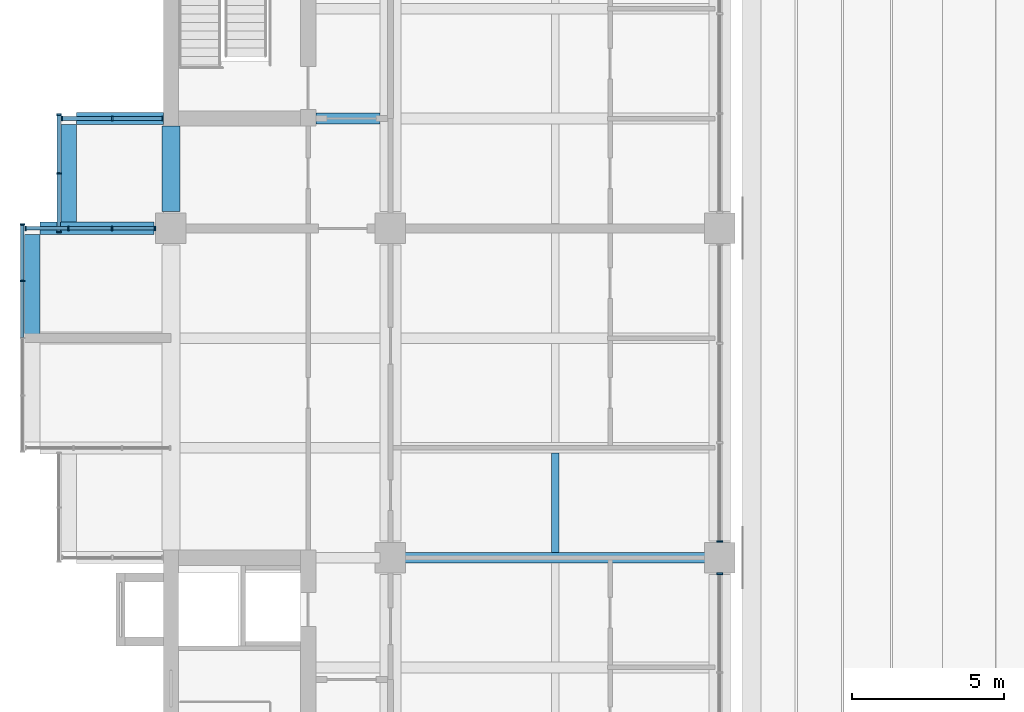
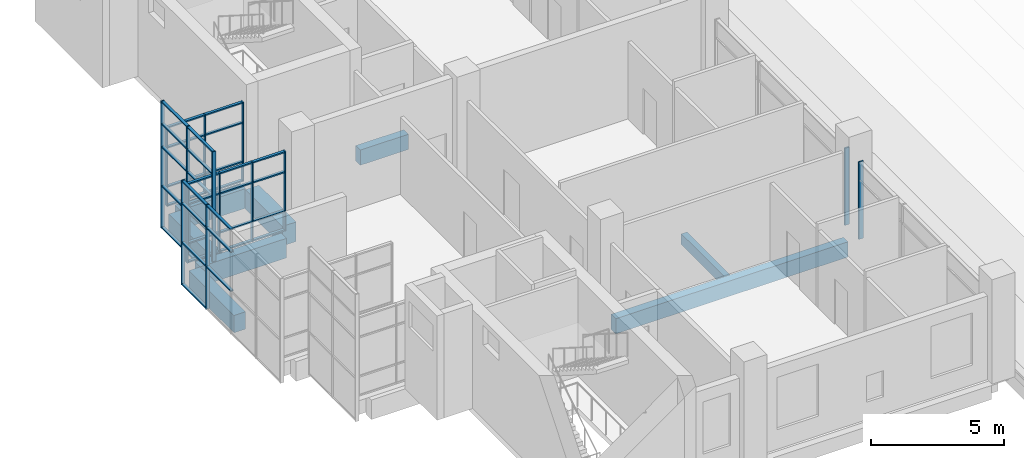
# One storey, part 4 of 45: 51 members, 8 beams, 6 elements without a shape of their own.
"""IFC4 building model written with IfcOpenShell, lengths in metres."""

from ifc_helpers import new_model, si_unit, direction, frame, origin, origin_2d, place, context, subcontext, project, spatial, rectangle, extrude, material, layer, layer_set, material_profile, profile_set, type_object, element, aggregate, save


model = new_model("IFC4")

# Units and contexts
model_context = context("Model", 3, precision=1e-05, world=origin(), true_north=direction((0.0, 1.0)))
body_context = subcontext(model_context, "Body", "Model", "MODEL_VIEW")
ifc_project = project(units=[si_unit("LENGTHUNIT", "METRE"), si_unit("AREAUNIT", "SQUARE_METRE"), si_unit("VOLUMEUNIT", "CUBIC_METRE"), si_unit("PLANEANGLEUNIT", "RADIAN"), si_unit("MASSUNIT", "GRAM", prefix="KILO")], contexts=[model_context])

# Site, building, storey
site_placement = place(None, origin())
site = spatial("IfcSite", under=ifc_project, at=site_placement, CompositionType="ELEMENT")
building_placement = place(site_placement, origin())
building = spatial("IfcBuilding", under=site, at=building_placement, Name="Basin Gate Institute", CompositionType="ELEMENT")
storey_placement = place(building_placement, frame((0.0, 0.0, 22.199951171875)))
storey = spatial("IfcBuildingStorey", under=building, at=storey_placement, Name="L04", CompositionType="ELEMENT", Elevation=22.199951171875)

# Beams
ifc_material_1 = material(Name="Concrete 40 MPa", Category="concrete")
ifc_material_profile_1 = material_profile(ifc_material_1, rectangle(XDim=0.35009765625, YDim=0.699951171875, at=origin_2d()), Name="Beam B1 350 x 700")
ifc_profile_set_1 = profile_set([ifc_material_profile_1], Name="Concrete 40 MPa")
beam_type_1 = type_object("IfcBeamType", Name="Beam B1 R120", PredefinedType="BEAM", material=ifc_profile_set_1)
beam_1_placement = place(storey_placement, frame((68.75, 45.89990234375, -0.599853515625), z_axis=(1.0, 0.0, 0.0), x_axis=(0.0, 1.0, 0.0)))
element("IfcBeam", 1, at=beam_1_placement, inside=storey, type_object=beam_type_1, material=ifc_profile_set_1, Name="BEAM/L04/W/EW/04", PredefinedType="BEAM", context=body_context, shape_type="SweptSolid", body=[
    extrude(rectangle(XDim=0.35009765625, YDim=0.699951171875, at=origin_2d()), origin(), (0.0, 0.0, 1.0), 10.10009765625),
])
beam_2_placement = place(storey_placement, frame((65.949951171875, 60.300048828125, -0.599853515625), z_axis=(1.0, 0.0, 0.0), x_axis=(0.0, 1.0, 0.0)))
element("IfcBeam", 2, at=beam_2_placement, inside=storey, type_object=beam_type_1, material=ifc_profile_set_1, Name="BEAM/L04/W/CORR/08", PredefinedType="BEAM", context=body_context, shape_type="SweptSolid", body=[
    extrude(rectangle(XDim=0.35009765625, YDim=0.699951171875, at=origin_2d()), origin(), (0.0, 0.0, 1.0), 2.10009765625),
])
ifc_material_2 = material(Name="Concrete 50 MPa", Category="concrete")
ifc_material_profile_2 = material_profile(ifc_material_2, rectangle(XDim=0.39990234375, YDim=0.89990234375, at=origin_2d()), Name="Cantilever beam B3 400 x 900")
ifc_profile_set_2 = profile_set([ifc_material_profile_2], Name="Concrete 50 MPa")
beam_type_2 = type_object("IfcBeamType", Name="Cantilever beam B3 R120", PredefinedType="BEAM", material=ifc_profile_set_2)
beam_3_placement = place(storey_placement, frame((56.89990234375, 56.699951171875, -0.699951171875), z_axis=(1.0, 0.0, 0.0), x_axis=(0.0, 1.0, 0.0)))
element("IfcBeam", 3, at=beam_3_placement, inside=storey, type_object=beam_type_2, material=ifc_profile_set_2, Name="BEAM/L04/W/CANT/07", PredefinedType="BEAM", context=body_context, shape_type="SweptSolid", body=[
    extrude(rectangle(XDim=0.39990234375, YDim=0.89990234375, at=origin_2d()), origin(), (0.0, 0.0, 1.0), 3.75),
])
beam_4_placement = place(storey_placement, frame((58.10009765625, 60.300048828125, -0.699951171875), z_axis=(1.0, 0.0, 0.0), x_axis=(0.0, 1.0, 0.0)))
element("IfcBeam", 4, at=beam_4_placement, inside=storey, type_object=beam_type_2, material=ifc_profile_set_2, Name="BEAM/L04/W/CANT/08", PredefinedType="BEAM", context=body_context, shape_type="SweptSolid", body=[
    extrude(rectangle(XDim=0.39990234375, YDim=0.89990234375, at=origin_2d()), origin(), (0.0, 0.0, 1.0), 2.849853515625),
])
ifc_material_3 = material(Name="Concrete 50 MPa", Category="concrete")
ifc_material_profile_3 = material_profile(ifc_material_3, rectangle(XDim=0.60009765625, YDim=0.89990234375, at=origin_2d()), Name="Edge return beam EB3 600 x 900")
ifc_profile_set_3 = profile_set([ifc_material_profile_3], Name="Concrete 50 MPa")
beam_type_3 = type_object("IfcBeamType", Name="Edge return beam EB3 R120", PredefinedType="SPANDREL", material=ifc_profile_set_3)
beam_5_placement = place(storey_placement, frame((61.199951171875, 57.25, -0.699951171875), z_axis=(0.0, 1.0, 0.0), x_axis=(-1.0, 0.0, 0.0)))
element("IfcBeam", 5, at=beam_5_placement, inside=storey, type_object=beam_type_3, material=ifc_profile_set_3, Name="BEAM/L04/W/EDGE/2", PredefinedType="SPANDREL", context=body_context, shape_type="SweptSolid", body=[
    extrude(rectangle(XDim=0.60009765625, YDim=0.89990234375, at=origin_2d()), origin(), (0.0, 0.0, 1.0), 2.800048828125),
])

# Curtain wall, members
ifc_material_4 = material(Name="Aluminium-framed glazing", Category="aluminium")
ifc_layer_1 = layer(ifc_material_4, 0.14990234375)
ifc_layer_set_1 = layer_set([ifc_layer_1], Name="Capsule front curtain wall CW1")
curtain_wall_type_1 = type_object("IfcCurtainWallType", Name="Capsule front curtain wall CW1", PredefinedType="NOTDEFINED", material=ifc_layer_set_1)
curtain_wall_1_placement = place(storey_placement, origin())
curtain_wall_1 = element("IfcCurtainWall", 6, at=curtain_wall_1_placement, inside=storey, type_object=curtain_wall_type_1, material=ifc_layer_set_1, Name="Capsule front curtain wall W wing capsule end L04 line 7", PredefinedType="NOTDEFINED")
ifc_material_5 = material(Name="Aluminium", Category="aluminium")
ifc_material_profile_4 = material_profile(ifc_material_5, rectangle(XDim=0.14990234375, YDim=0.050048828125, at=origin_2d()), Name="Mullion MU1 150 x 50")
ifc_profile_set_4 = profile_set([ifc_material_profile_4], Name="Aluminium")
member_type_1 = type_object("IfcMemberType", Name="Mullion MU1", PredefinedType="MULLION", material=ifc_profile_set_4)
member_1_placement = place(storey_placement, frame((56.425048828125, 56.699951171875, 0.0), z_axis=(0.0, 0.0, 1.0), x_axis=(0.0, 1.0, 0.0)))
member_1 = element("IfcMember", 7, at=member_1_placement, type_object=member_type_1, material=ifc_profile_set_4, Name="CW1 mullion 1", PredefinedType="MULLION", context=body_context, shape_type="SweptSolid", body=[
    extrude(rectangle(XDim=0.14990234375, YDim=0.050048828125, at=origin_2d()), origin(), (0.0, 0.0, 1.0), 3.650146484375),
])
member_2_placement = place(storey_placement, frame((57.833251953125, 56.699951171875, 0.0), z_axis=(0.0, 0.0, 1.0), x_axis=(0.0, 1.0, 0.0)))
member_2 = element("IfcMember", 8, at=member_2_placement, type_object=member_type_1, material=ifc_profile_set_4, Name="CW1 mullion 2", PredefinedType="MULLION", context=body_context, shape_type="SweptSolid", body=[
    extrude(rectangle(XDim=0.14990234375, YDim=0.050048828125, at=origin_2d()), origin(), (0.0, 0.0, 1.0), 3.650146484375),
])
member_3_placement = place(storey_placement, frame((59.2666015625, 56.699951171875, 0.0), z_axis=(0.0, 0.0, 1.0), x_axis=(0.0, 1.0, 0.0)))
member_3 = element("IfcMember", 9, at=member_3_placement, type_object=member_type_1, material=ifc_profile_set_4, Name="CW1 mullion 3", PredefinedType="MULLION", context=body_context, shape_type="SweptSolid", body=[
    extrude(rectangle(XDim=0.14990234375, YDim=0.050048828125, at=origin_2d()), origin(), (0.0, 0.0, 1.0), 3.650146484375),
])
member_4_placement = place(storey_placement, frame((60.675048828125, 56.699951171875, 0.0), z_axis=(0.0, 0.0, 1.0), x_axis=(0.0, 1.0, 0.0)))
member_4 = element("IfcMember", 10, at=member_4_placement, type_object=member_type_1, material=ifc_profile_set_4, Name="CW1 mullion 4", PredefinedType="MULLION", context=body_context, shape_type="SweptSolid", body=[
    extrude(rectangle(XDim=0.14990234375, YDim=0.050048828125, at=origin_2d()), origin(), (0.0, 0.0, 1.0), 3.650146484375),
])

curtain_wall_2_placement = place(storey_placement, origin())
curtain_wall_2 = element("IfcCurtainWall", 11, at=curtain_wall_2_placement, inside=storey, type_object=curtain_wall_type_1, material=ifc_layer_set_1, Name="Capsule front curtain wall W wing capsule end L04 line 8", PredefinedType="NOTDEFINED")
member_5_placement = place(storey_placement, frame((57.625, 60.300048828125, 0.0), z_axis=(0.0, 0.0, 1.0), x_axis=(0.0, 1.0, 0.0)))
member_5 = element("IfcMember", 12, at=member_5_placement, type_object=member_type_1, material=ifc_profile_set_4, Name="CW1 mullion 1", PredefinedType="MULLION", context=body_context, shape_type="SweptSolid", body=[
    extrude(rectangle(XDim=0.14990234375, YDim=0.050048828125, at=origin_2d()), origin(), (0.0, 0.0, 1.0), 3.650146484375),
])
member_6_placement = place(storey_placement, frame((59.27490234375, 60.300048828125, 0.0), z_axis=(0.0, 0.0, 1.0), x_axis=(0.0, 1.0, 0.0)))
member_6 = element("IfcMember", 13, at=member_6_placement, type_object=member_type_1, material=ifc_profile_set_4, Name="CW1 mullion 2", PredefinedType="MULLION", context=body_context, shape_type="SweptSolid", body=[
    extrude(rectangle(XDim=0.14990234375, YDim=0.050048828125, at=origin_2d()), origin(), (0.0, 0.0, 1.0), 3.650146484375),
])
member_7_placement = place(storey_placement, frame((60.925048828125, 60.300048828125, 0.0), z_axis=(0.0, 0.0, 1.0), x_axis=(0.0, 1.0, 0.0)))
member_7 = element("IfcMember", 14, at=member_7_placement, type_object=member_type_1, material=ifc_profile_set_4, Name="CW1 mullion 3", PredefinedType="MULLION", context=body_context, shape_type="SweptSolid", body=[
    extrude(rectangle(XDim=0.14990234375, YDim=0.050048828125, at=origin_2d()), origin(), (0.0, 0.0, 1.0), 3.650146484375),
])

curtain_wall_3_placement = place(storey_placement, origin())
curtain_wall_3 = element("IfcCurtainWall", 15, at=curtain_wall_3_placement, inside=storey, type_object=curtain_wall_type_1, material=ifc_layer_set_1, Name="Capsule front curtain wall W wing capsule 1 L04 front 2", PredefinedType="NOTDEFINED")
member_8_placement = place(storey_placement, frame((56.324951171875, 54.97509765625, -1.050048828125), z_axis=(0.0, 0.0, 1.0), x_axis=(-1.0, 0.0, 0.0)))
member_8 = element("IfcMember", 16, at=member_8_placement, type_object=member_type_1, material=ifc_profile_set_4, Name="CW1 mullion 4", PredefinedType="MULLION", context=body_context, shape_type="SweptSolid", body=[
    extrude(rectangle(XDim=0.14990234375, YDim=0.050048828125, at=origin_2d()), origin(), (0.0, 0.0, 1.0), 4.800048828125),
])
member_9_placement = place(storey_placement, frame((56.324951171875, 56.824951171875, -1.050048828125), z_axis=(0.0, 0.0, 1.0), x_axis=(-1.0, 0.0, 0.0)))
member_9 = element("IfcMember", 17, at=member_9_placement, type_object=member_type_1, material=ifc_profile_set_4, Name="CW1 mullion 5", PredefinedType="MULLION", context=body_context, shape_type="SweptSolid", body=[
    extrude(rectangle(XDim=0.14990234375, YDim=0.050048828125, at=origin_2d()), origin(), (0.0, 0.0, 1.0), 4.800048828125),
])

curtain_wall_4_placement = place(storey_placement, origin())
curtain_wall_4 = element("IfcCurtainWall", 18, at=curtain_wall_4_placement, inside=storey, type_object=curtain_wall_type_1, material=ifc_layer_set_1, Name="Capsule front curtain wall W wing capsule 1 L04 front 4", PredefinedType="NOTDEFINED")
member_10_placement = place(storey_placement, frame((57.52490234375, 56.574951171875, -1.050048828125), z_axis=(0.0, 0.0, 1.0), x_axis=(-1.0, 0.0, 0.0)))
member_10 = element("IfcMember", 19, at=member_10_placement, type_object=member_type_1, material=ifc_profile_set_4, Name="CW1 mullion 1", PredefinedType="MULLION", context=body_context, shape_type="SweptSolid", body=[
    extrude(rectangle(XDim=0.14990234375, YDim=0.050048828125, at=origin_2d()), origin(), (0.0, 0.0, 1.0), 5.85009765625),
])
member_11_placement = place(storey_placement, frame((57.52490234375, 58.5, -1.050048828125), z_axis=(0.0, 0.0, 1.0), x_axis=(-1.0, 0.0, 0.0)))
member_11 = element("IfcMember", 20, at=member_11_placement, type_object=member_type_1, material=ifc_profile_set_4, Name="CW1 mullion 2", PredefinedType="MULLION", context=body_context, shape_type="SweptSolid", body=[
    extrude(rectangle(XDim=0.14990234375, YDim=0.050048828125, at=origin_2d()), origin(), (0.0, 0.0, 1.0), 5.85009765625),
])
member_12_placement = place(storey_placement, frame((57.52490234375, 60.425048828125, -1.050048828125), z_axis=(0.0, 0.0, 1.0), x_axis=(-1.0, 0.0, 0.0)))
member_12 = element("IfcMember", 21, at=member_12_placement, type_object=member_type_1, material=ifc_profile_set_4, Name="CW1 mullion 3", PredefinedType="MULLION", context=body_context, shape_type="SweptSolid", body=[
    extrude(rectangle(XDim=0.14990234375, YDim=0.050048828125, at=origin_2d()), origin(), (0.0, 0.0, 1.0), 5.85009765625),
])

# Curtain wall, member
ifc_material_6 = material(Name="Aluminium-framed glazing", Category="aluminium")
ifc_layer_2 = layer(ifc_material_6, 0.199951171875)
ifc_layer_set_2 = layer_set([ifc_layer_2], Name="Atrium curtain wall CW2")
curtain_wall_type_2 = type_object("IfcCurtainWallType", Name="Atrium curtain wall CW2", PredefinedType="NOTDEFINED", material=ifc_layer_set_2)
curtain_wall_5_placement = place(storey_placement, origin())
curtain_wall_5 = element("IfcCurtainWall", 22, at=curtain_wall_5_placement, inside=storey, type_object=curtain_wall_type_2, material=ifc_layer_set_2, Name="Atrium curtain wall W wing atrium bay 1 L04", PredefinedType="NOTDEFINED")
ifc_material_7 = material(Name="Aluminium", Category="aluminium")
ifc_material_profile_5 = material_profile(ifc_material_7, rectangle(XDim=0.199951171875, YDim=0.06005859375, at=origin_2d()), Name="Mullion MU2 200 x 60")
ifc_profile_set_5 = profile_set([ifc_material_profile_5], Name="Aluminium")
member_type_2 = type_object("IfcMemberType", Name="Mullion MU2", PredefinedType="MULLION", material=ifc_profile_set_5)
member_13_placement = place(storey_placement, frame((79.199951171875, 45.3701171875, 0.0), z_axis=(0.0, 0.0, 1.0), x_axis=(-1.0, 0.0, 0.0)))
member_13 = element("IfcMember", 23, at=member_13_placement, type_object=member_type_2, material=ifc_profile_set_5, Name="CW2 mullion 4", PredefinedType="MULLION", context=body_context, shape_type="SweptSolid", body=[
    extrude(rectangle(XDim=0.199951171875, YDim=0.06005859375, at=origin_2d()), origin(), (0.0, 0.0, 1.0), 3.550048828125),
])
aggregate(curtain_wall_5, [member_13])

curtain_wall_6_placement = place(storey_placement, origin())
curtain_wall_6 = element("IfcCurtainWall", 24, at=curtain_wall_6_placement, inside=storey, type_object=curtain_wall_type_2, material=ifc_layer_set_2, Name="Atrium curtain wall W wing atrium bay 2 L04", PredefinedType="NOTDEFINED")
member_14_placement = place(storey_placement, frame((79.199951171875, 46.429931640625, 0.0), z_axis=(0.0, 0.0, 1.0), x_axis=(-1.0, 0.0, 0.0)))
member_14 = element("IfcMember", 25, at=member_14_placement, type_object=member_type_2, material=ifc_profile_set_5, Name="CW2 mullion 1", PredefinedType="MULLION", context=body_context, shape_type="SweptSolid", body=[
    extrude(rectangle(XDim=0.199951171875, YDim=0.06005859375, at=origin_2d()), origin(), (0.0, 0.0, 1.0), 3.550048828125),
])
aggregate(curtain_wall_6, [member_14])

# Beams
ifc_material_8 = material(Name="Concrete 40 MPa", Category="concrete")
ifc_material_profile_6 = material_profile(ifc_material_8, rectangle(XDim=0.25, YDim=0.5, at=origin_2d()), Name="Rib R1 250 x 500")
ifc_profile_set_6 = profile_set([ifc_material_profile_6], Name="Concrete 40 MPa")
beam_type_4 = type_object("IfcBeamType", Name="Rib R1 R120", PredefinedType="JOIST", material=ifc_profile_set_6)
beam_6_placement = place(storey_placement, frame((73.800048828125, 46.074951171875, -0.5), z_axis=(0.0, 1.0, 0.0), x_axis=(-1.0, 0.0, 0.0)))
element("IfcBeam", 26, at=beam_6_placement, inside=storey, type_object=beam_type_4, material=ifc_profile_set_6, Name="BEAM/L04/W/RIB/04", PredefinedType="JOIST", context=body_context, shape_type="SweptSolid", body=[
    extrude(rectangle(XDim=0.25, YDim=0.5, at=origin_2d()), origin(), (0.0, 0.0, 1.0), 3.25),
])
ifc_material_9 = material(Name="Concrete 50 MPa", Category="concrete")
ifc_material_profile_7 = material_profile(ifc_material_9, rectangle(XDim=0.5, YDim=0.800048828125, at=origin_2d()), Name="Tip beam TB1 500 x 800")
ifc_profile_set_7 = profile_set([ifc_material_profile_7], Name="Concrete 50 MPa")
beam_type_5 = type_object("IfcBeamType", Name="Tip beam TB1 R120", PredefinedType="SPANDREL", material=ifc_profile_set_7)
beam_7_placement = place(storey_placement, frame((56.64990234375, 53.10009765625, -0.64990234375), z_axis=(0.0, 1.0, 0.0), x_axis=(-1.0, 0.0, 0.0)))
element("IfcBeam", 27, at=beam_7_placement, inside=storey, type_object=beam_type_5, material=ifc_profile_set_7, Name="BEAM/L04/W/TIP/3", PredefinedType="SPANDREL", context=body_context, shape_type="SweptSolid", body=[
    extrude(rectangle(XDim=0.5, YDim=0.800048828125, at=origin_2d()), origin(), (0.0, 0.0, 1.0), 3.39990234375),
])
beam_8_placement = place(storey_placement, frame((57.85009765625, 56.89990234375, -0.64990234375), z_axis=(0.0, 1.0, 0.0), x_axis=(-1.0, 0.0, 0.0)))
element("IfcBeam", 28, at=beam_8_placement, inside=storey, type_object=beam_type_5, material=ifc_profile_set_7, Name="BEAM/L04/W/TIP/4", PredefinedType="SPANDREL", context=body_context, shape_type="SweptSolid", body=[
    extrude(rectangle(XDim=0.5, YDim=0.800048828125, at=origin_2d()), origin(), (0.0, 0.0, 1.0), 3.2001953125),
])

# Member
ifc_material_10 = material(Name="Aluminium", Category="aluminium")
ifc_material_profile_8 = material_profile(ifc_material_10, rectangle(XDim=0.1201171875, YDim=0.06005859375, at=origin_2d()), Name="Transom TR1 120 x 60")
ifc_profile_set_8 = profile_set([ifc_material_profile_8], Name="Aluminium")
member_type_3 = type_object("IfcMemberType", Name="Transom TR1", PredefinedType="USERDEFINED", material=ifc_profile_set_8)
member_15_placement = place(storey_placement, frame((56.449951171875, 56.699951171875, 0.030029296875), z_axis=(1.0, 0.0, 0.0), x_axis=(0.0, 1.0, 0.0)))
member_15 = element("IfcMember", 29, at=member_15_placement, type_object=member_type_3, material=ifc_profile_set_8, Name="CW1 transom 1.1", ObjectType="TRANSOM", PredefinedType="USERDEFINED", context=body_context, shape_type="SweptSolid", body=[
    extrude(rectangle(XDim=0.1201171875, YDim=0.06005859375, at=origin_2d()), origin(), (0.0, 0.0, 1.0), 1.3583984375),
])

member_16_placement = place(storey_placement, frame((56.449951171875, 56.699951171875, 0.900146484375), z_axis=(1.0, 0.0, 0.0), x_axis=(0.0, 1.0, 0.0)))
member_16 = element("IfcMember", 30, at=member_16_placement, type_object=member_type_3, material=ifc_profile_set_8, Name="CW1 transom 1.2", ObjectType="TRANSOM", PredefinedType="USERDEFINED", context=body_context, shape_type="SweptSolid", body=[
    extrude(rectangle(XDim=0.1201171875, YDim=0.06005859375, at=origin_2d()), origin(), (0.0, 0.0, 1.0), 1.3583984375),
])

member_17_placement = place(storey_placement, frame((56.449951171875, 56.699951171875, 2.699951171875), z_axis=(1.0, 0.0, 0.0), x_axis=(0.0, 1.0, 0.0)))
member_17 = element("IfcMember", 31, at=member_17_placement, type_object=member_type_3, material=ifc_profile_set_8, Name="CW1 transom 1.3", ObjectType="TRANSOM", PredefinedType="USERDEFINED", context=body_context, shape_type="SweptSolid", body=[
    extrude(rectangle(XDim=0.1201171875, YDim=0.06005859375, at=origin_2d()), origin(), (0.0, 0.0, 1.0), 1.3583984375),
])

member_18_placement = place(storey_placement, frame((56.449951171875, 56.699951171875, 3.6201171875), z_axis=(1.0, 0.0, 0.0), x_axis=(0.0, 1.0, 0.0)))
member_18 = element("IfcMember", 32, at=member_18_placement, type_object=member_type_3, material=ifc_profile_set_8, Name="CW1 transom 1.4", ObjectType="TRANSOM", PredefinedType="USERDEFINED", context=body_context, shape_type="SweptSolid", body=[
    extrude(rectangle(XDim=0.1201171875, YDim=0.06005859375, at=origin_2d()), origin(), (0.0, 0.0, 1.0), 1.3583984375),
])

member_19_placement = place(storey_placement, frame((57.8583984375, 56.699951171875, 0.030029296875), z_axis=(1.0, 0.0, 0.0), x_axis=(0.0, 1.0, 0.0)))
member_19 = element("IfcMember", 33, at=member_19_placement, type_object=member_type_3, material=ifc_profile_set_8, Name="CW1 transom 2.1", ObjectType="TRANSOM", PredefinedType="USERDEFINED", context=body_context, shape_type="SweptSolid", body=[
    extrude(rectangle(XDim=0.1201171875, YDim=0.06005859375, at=origin_2d()), origin(), (0.0, 0.0, 1.0), 1.38330078125),
])

member_20_placement = place(storey_placement, frame((57.8583984375, 56.699951171875, 0.900146484375), z_axis=(1.0, 0.0, 0.0), x_axis=(0.0, 1.0, 0.0)))
member_20 = element("IfcMember", 34, at=member_20_placement, type_object=member_type_3, material=ifc_profile_set_8, Name="CW1 transom 2.2", ObjectType="TRANSOM", PredefinedType="USERDEFINED", context=body_context, shape_type="SweptSolid", body=[
    extrude(rectangle(XDim=0.1201171875, YDim=0.06005859375, at=origin_2d()), origin(), (0.0, 0.0, 1.0), 1.38330078125),
])

member_21_placement = place(storey_placement, frame((57.8583984375, 56.699951171875, 2.699951171875), z_axis=(1.0, 0.0, 0.0), x_axis=(0.0, 1.0, 0.0)))
member_21 = element("IfcMember", 35, at=member_21_placement, type_object=member_type_3, material=ifc_profile_set_8, Name="CW1 transom 2.3", ObjectType="TRANSOM", PredefinedType="USERDEFINED", context=body_context, shape_type="SweptSolid", body=[
    extrude(rectangle(XDim=0.1201171875, YDim=0.06005859375, at=origin_2d()), origin(), (0.0, 0.0, 1.0), 1.38330078125),
])

member_22_placement = place(storey_placement, frame((57.8583984375, 56.699951171875, 3.6201171875), z_axis=(1.0, 0.0, 0.0), x_axis=(0.0, 1.0, 0.0)))
member_22 = element("IfcMember", 36, at=member_22_placement, type_object=member_type_3, material=ifc_profile_set_8, Name="CW1 transom 2.4", ObjectType="TRANSOM", PredefinedType="USERDEFINED", context=body_context, shape_type="SweptSolid", body=[
    extrude(rectangle(XDim=0.1201171875, YDim=0.06005859375, at=origin_2d()), origin(), (0.0, 0.0, 1.0), 1.38330078125),
])

member_23_placement = place(storey_placement, frame((59.291748046875, 56.699951171875, 0.030029296875), z_axis=(1.0, 0.0, 0.0), x_axis=(0.0, 1.0, 0.0)))
member_23 = element("IfcMember", 37, at=member_23_placement, type_object=member_type_3, material=ifc_profile_set_8, Name="CW1 transom 3.1", ObjectType="TRANSOM", PredefinedType="USERDEFINED", context=body_context, shape_type="SweptSolid", body=[
    extrude(rectangle(XDim=0.1201171875, YDim=0.06005859375, at=origin_2d()), origin(), (0.0, 0.0, 1.0), 1.358154296875),
])

member_24_placement = place(storey_placement, frame((59.291748046875, 56.699951171875, 0.900146484375), z_axis=(1.0, 0.0, 0.0), x_axis=(0.0, 1.0, 0.0)))
member_24 = element("IfcMember", 38, at=member_24_placement, type_object=member_type_3, material=ifc_profile_set_8, Name="CW1 transom 3.2", ObjectType="TRANSOM", PredefinedType="USERDEFINED", context=body_context, shape_type="SweptSolid", body=[
    extrude(rectangle(XDim=0.1201171875, YDim=0.06005859375, at=origin_2d()), origin(), (0.0, 0.0, 1.0), 1.358154296875),
])

member_25_placement = place(storey_placement, frame((59.291748046875, 56.699951171875, 2.699951171875), z_axis=(1.0, 0.0, 0.0), x_axis=(0.0, 1.0, 0.0)))
member_25 = element("IfcMember", 39, at=member_25_placement, type_object=member_type_3, material=ifc_profile_set_8, Name="CW1 transom 3.3", ObjectType="TRANSOM", PredefinedType="USERDEFINED", context=body_context, shape_type="SweptSolid", body=[
    extrude(rectangle(XDim=0.1201171875, YDim=0.06005859375, at=origin_2d()), origin(), (0.0, 0.0, 1.0), 1.358154296875),
])

member_26_placement = place(storey_placement, frame((59.291748046875, 56.699951171875, 3.6201171875), z_axis=(1.0, 0.0, 0.0), x_axis=(0.0, 1.0, 0.0)))
member_26 = element("IfcMember", 40, at=member_26_placement, type_object=member_type_3, material=ifc_profile_set_8, Name="CW1 transom 3.4", ObjectType="TRANSOM", PredefinedType="USERDEFINED", context=body_context, shape_type="SweptSolid", body=[
    extrude(rectangle(XDim=0.1201171875, YDim=0.06005859375, at=origin_2d()), origin(), (0.0, 0.0, 1.0), 1.358154296875),
])

aggregate(curtain_wall_1, [member_1, member_2, member_3, member_4, member_15, member_16, member_17, member_18, member_19, member_20, member_21, member_22, member_23, member_24, member_25, member_26])

member_27_placement = place(storey_placement, frame((57.64990234375, 60.300048828125, 0.030029296875), z_axis=(1.0, 0.0, 0.0), x_axis=(0.0, 1.0, 0.0)))
member_27 = element("IfcMember", 41, at=member_27_placement, type_object=member_type_3, material=ifc_profile_set_8, Name="CW1 transom 1.1", ObjectType="TRANSOM", PredefinedType="USERDEFINED", context=body_context, shape_type="SweptSolid", body=[
    extrude(rectangle(XDim=0.1201171875, YDim=0.06005859375, at=origin_2d()), origin(), (0.0, 0.0, 1.0), 1.60009765625),
])

member_28_placement = place(storey_placement, frame((57.64990234375, 60.300048828125, 0.900146484375), z_axis=(1.0, 0.0, 0.0), x_axis=(0.0, 1.0, 0.0)))
member_28 = element("IfcMember", 42, at=member_28_placement, type_object=member_type_3, material=ifc_profile_set_8, Name="CW1 transom 1.2", ObjectType="TRANSOM", PredefinedType="USERDEFINED", context=body_context, shape_type="SweptSolid", body=[
    extrude(rectangle(XDim=0.1201171875, YDim=0.06005859375, at=origin_2d()), origin(), (0.0, 0.0, 1.0), 1.60009765625),
])

member_29_placement = place(storey_placement, frame((57.64990234375, 60.300048828125, 2.699951171875), z_axis=(1.0, 0.0, 0.0), x_axis=(0.0, 1.0, 0.0)))
member_29 = element("IfcMember", 43, at=member_29_placement, type_object=member_type_3, material=ifc_profile_set_8, Name="CW1 transom 1.3", ObjectType="TRANSOM", PredefinedType="USERDEFINED", context=body_context, shape_type="SweptSolid", body=[
    extrude(rectangle(XDim=0.1201171875, YDim=0.06005859375, at=origin_2d()), origin(), (0.0, 0.0, 1.0), 1.60009765625),
])

member_30_placement = place(storey_placement, frame((57.64990234375, 60.300048828125, 3.6201171875), z_axis=(1.0, 0.0, 0.0), x_axis=(0.0, 1.0, 0.0)))
member_30 = element("IfcMember", 44, at=member_30_placement, type_object=member_type_3, material=ifc_profile_set_8, Name="CW1 transom 1.4", ObjectType="TRANSOM", PredefinedType="USERDEFINED", context=body_context, shape_type="SweptSolid", body=[
    extrude(rectangle(XDim=0.1201171875, YDim=0.06005859375, at=origin_2d()), origin(), (0.0, 0.0, 1.0), 1.60009765625),
])

member_31_placement = place(storey_placement, frame((59.300048828125, 60.300048828125, 0.030029296875), z_axis=(1.0, 0.0, 0.0), x_axis=(0.0, 1.0, 0.0)))
member_31 = element("IfcMember", 45, at=member_31_placement, type_object=member_type_3, material=ifc_profile_set_8, Name="CW1 transom 2.1", ObjectType="TRANSOM", PredefinedType="USERDEFINED", context=body_context, shape_type="SweptSolid", body=[
    extrude(rectangle(XDim=0.1201171875, YDim=0.06005859375, at=origin_2d()), origin(), (0.0, 0.0, 1.0), 1.599853515625),
])

member_32_placement = place(storey_placement, frame((59.300048828125, 60.300048828125, 0.900146484375), z_axis=(1.0, 0.0, 0.0), x_axis=(0.0, 1.0, 0.0)))
member_32 = element("IfcMember", 46, at=member_32_placement, type_object=member_type_3, material=ifc_profile_set_8, Name="CW1 transom 2.2", ObjectType="TRANSOM", PredefinedType="USERDEFINED", context=body_context, shape_type="SweptSolid", body=[
    extrude(rectangle(XDim=0.1201171875, YDim=0.06005859375, at=origin_2d()), origin(), (0.0, 0.0, 1.0), 1.599853515625),
])

member_33_placement = place(storey_placement, frame((59.300048828125, 60.300048828125, 2.699951171875), z_axis=(1.0, 0.0, 0.0), x_axis=(0.0, 1.0, 0.0)))
member_33 = element("IfcMember", 47, at=member_33_placement, type_object=member_type_3, material=ifc_profile_set_8, Name="CW1 transom 2.3", ObjectType="TRANSOM", PredefinedType="USERDEFINED", context=body_context, shape_type="SweptSolid", body=[
    extrude(rectangle(XDim=0.1201171875, YDim=0.06005859375, at=origin_2d()), origin(), (0.0, 0.0, 1.0), 1.599853515625),
])

member_34_placement = place(storey_placement, frame((59.300048828125, 60.300048828125, 3.6201171875), z_axis=(1.0, 0.0, 0.0), x_axis=(0.0, 1.0, 0.0)))
member_34 = element("IfcMember", 48, at=member_34_placement, type_object=member_type_3, material=ifc_profile_set_8, Name="CW1 transom 2.4", ObjectType="TRANSOM", PredefinedType="USERDEFINED", context=body_context, shape_type="SweptSolid", body=[
    extrude(rectangle(XDim=0.1201171875, YDim=0.06005859375, at=origin_2d()), origin(), (0.0, 0.0, 1.0), 1.599853515625),
])

aggregate(curtain_wall_2, [member_5, member_6, member_7, member_27, member_28, member_29, member_30, member_31, member_32, member_33, member_34])

member_35_placement = place(storey_placement, frame((56.324951171875, 53.125, 0.900146484375), z_axis=(0.0, 1.0, 0.0), x_axis=(-1.0, 0.0, 0.0)))
member_35 = element("IfcMember", 49, at=member_35_placement, type_object=member_type_3, material=ifc_profile_set_8, Name="CW1 transom 3.2", ObjectType="TRANSOM", PredefinedType="USERDEFINED", context=body_context, shape_type="SweptSolid", body=[
    extrude(rectangle(XDim=0.1201171875, YDim=0.06005859375, at=origin_2d()), origin(), (0.0, 0.0, 1.0), 1.824951171875),
])

member_36_placement = place(storey_placement, frame((56.324951171875, 53.125, 2.699951171875), z_axis=(0.0, 1.0, 0.0), x_axis=(-1.0, 0.0, 0.0)))
member_36 = element("IfcMember", 50, at=member_36_placement, type_object=member_type_3, material=ifc_profile_set_8, Name="CW1 transom 3.3", ObjectType="TRANSOM", PredefinedType="USERDEFINED", context=body_context, shape_type="SweptSolid", body=[
    extrude(rectangle(XDim=0.1201171875, YDim=0.06005859375, at=origin_2d()), origin(), (0.0, 0.0, 1.0), 1.824951171875),
])

member_37_placement = place(storey_placement, frame((56.324951171875, 53.125, 3.719970703125), z_axis=(0.0, 1.0, 0.0), x_axis=(-1.0, 0.0, 0.0)))
member_37 = element("IfcMember", 51, at=member_37_placement, type_object=member_type_3, material=ifc_profile_set_8, Name="CW1 transom 3.4", ObjectType="TRANSOM", PredefinedType="USERDEFINED", context=body_context, shape_type="SweptSolid", body=[
    extrude(rectangle(XDim=0.1201171875, YDim=0.06005859375, at=origin_2d()), origin(), (0.0, 0.0, 1.0), 1.824951171875),
])

member_38_placement = place(storey_placement, frame((56.324951171875, 55.0, -1.02001953125), z_axis=(0.0, 1.0, 0.0), x_axis=(-1.0, 0.0, 0.0)))
member_38 = element("IfcMember", 52, at=member_38_placement, type_object=member_type_3, material=ifc_profile_set_8, Name="CW1 transom 4.1", ObjectType="TRANSOM", PredefinedType="USERDEFINED", context=body_context, shape_type="SweptSolid", body=[
    extrude(rectangle(XDim=0.1201171875, YDim=0.06005859375, at=origin_2d()), origin(), (0.0, 0.0, 1.0), 1.800048828125),
])

member_39_placement = place(storey_placement, frame((56.324951171875, 55.0, 0.900146484375), z_axis=(0.0, 1.0, 0.0), x_axis=(-1.0, 0.0, 0.0)))
member_39 = element("IfcMember", 53, at=member_39_placement, type_object=member_type_3, material=ifc_profile_set_8, Name="CW1 transom 4.2", ObjectType="TRANSOM", PredefinedType="USERDEFINED", context=body_context, shape_type="SweptSolid", body=[
    extrude(rectangle(XDim=0.1201171875, YDim=0.06005859375, at=origin_2d()), origin(), (0.0, 0.0, 1.0), 1.800048828125),
])

member_40_placement = place(storey_placement, frame((56.324951171875, 55.0, 2.699951171875), z_axis=(0.0, 1.0, 0.0), x_axis=(-1.0, 0.0, 0.0)))
member_40 = element("IfcMember", 54, at=member_40_placement, type_object=member_type_3, material=ifc_profile_set_8, Name="CW1 transom 4.3", ObjectType="TRANSOM", PredefinedType="USERDEFINED", context=body_context, shape_type="SweptSolid", body=[
    extrude(rectangle(XDim=0.1201171875, YDim=0.06005859375, at=origin_2d()), origin(), (0.0, 0.0, 1.0), 1.800048828125),
])

member_41_placement = place(storey_placement, frame((56.324951171875, 55.0, 3.719970703125), z_axis=(0.0, 1.0, 0.0), x_axis=(-1.0, 0.0, 0.0)))
member_41 = element("IfcMember", 55, at=member_41_placement, type_object=member_type_3, material=ifc_profile_set_8, Name="CW1 transom 4.4", ObjectType="TRANSOM", PredefinedType="USERDEFINED", context=body_context, shape_type="SweptSolid", body=[
    extrude(rectangle(XDim=0.1201171875, YDim=0.06005859375, at=origin_2d()), origin(), (0.0, 0.0, 1.0), 1.800048828125),
])

aggregate(curtain_wall_3, [member_8, member_9, member_35, member_36, member_37, member_38, member_39, member_40, member_41])

member_42_placement = place(storey_placement, frame((57.52490234375, 56.60009765625, -1.02001953125), z_axis=(0.0, 1.0, 0.0), x_axis=(-1.0, 0.0, 0.0)))
member_42 = element("IfcMember", 56, at=member_42_placement, type_object=member_type_3, material=ifc_profile_set_8, Name="CW1 transom 1.1", ObjectType="TRANSOM", PredefinedType="USERDEFINED", context=body_context, shape_type="SweptSolid", body=[
    extrude(rectangle(XDim=0.1201171875, YDim=0.06005859375, at=origin_2d()), origin(), (0.0, 0.0, 1.0), 1.875),
])

member_43_placement = place(storey_placement, frame((57.52490234375, 56.60009765625, 0.900146484375), z_axis=(0.0, 1.0, 0.0), x_axis=(-1.0, 0.0, 0.0)))
member_43 = element("IfcMember", 57, at=member_43_placement, type_object=member_type_3, material=ifc_profile_set_8, Name="CW1 transom 1.2", ObjectType="TRANSOM", PredefinedType="USERDEFINED", context=body_context, shape_type="SweptSolid", body=[
    extrude(rectangle(XDim=0.1201171875, YDim=0.06005859375, at=origin_2d()), origin(), (0.0, 0.0, 1.0), 1.875),
])

member_44_placement = place(storey_placement, frame((57.52490234375, 56.60009765625, 2.699951171875), z_axis=(0.0, 1.0, 0.0), x_axis=(-1.0, 0.0, 0.0)))
member_44 = element("IfcMember", 58, at=member_44_placement, type_object=member_type_3, material=ifc_profile_set_8, Name="CW1 transom 1.3", ObjectType="TRANSOM", PredefinedType="USERDEFINED", context=body_context, shape_type="SweptSolid", body=[
    extrude(rectangle(XDim=0.1201171875, YDim=0.06005859375, at=origin_2d()), origin(), (0.0, 0.0, 1.0), 1.875),
])

member_45_placement = place(storey_placement, frame((57.52490234375, 56.60009765625, 3.75), z_axis=(0.0, 1.0, 0.0), x_axis=(-1.0, 0.0, 0.0)))
member_45 = element("IfcMember", 59, at=member_45_placement, type_object=member_type_3, material=ifc_profile_set_8, Name="CW1 transom 1.4", ObjectType="TRANSOM", PredefinedType="USERDEFINED", context=body_context, shape_type="SweptSolid", body=[
    extrude(rectangle(XDim=0.1201171875, YDim=0.06005859375, at=origin_2d()), origin(), (0.0, 0.0, 1.0), 1.875),
])

member_46_placement = place(storey_placement, frame((57.52490234375, 56.60009765625, 4.77001953125), z_axis=(0.0, 1.0, 0.0), x_axis=(-1.0, 0.0, 0.0)))
member_46 = element("IfcMember", 60, at=member_46_placement, type_object=member_type_3, material=ifc_profile_set_8, Name="CW1 transom 1.5", ObjectType="TRANSOM", PredefinedType="USERDEFINED", context=body_context, shape_type="SweptSolid", body=[
    extrude(rectangle(XDim=0.1201171875, YDim=0.06005859375, at=origin_2d()), origin(), (0.0, 0.0, 1.0), 1.875),
])

member_47_placement = place(storey_placement, frame((57.52490234375, 58.52490234375, -1.02001953125), z_axis=(0.0, 1.0, 0.0), x_axis=(-1.0, 0.0, 0.0)))
member_47 = element("IfcMember", 61, at=member_47_placement, type_object=member_type_3, material=ifc_profile_set_8, Name="CW1 transom 2.1", ObjectType="TRANSOM", PredefinedType="USERDEFINED", context=body_context, shape_type="SweptSolid", body=[
    extrude(rectangle(XDim=0.1201171875, YDim=0.06005859375, at=origin_2d()), origin(), (0.0, 0.0, 1.0), 1.875),
])

member_48_placement = place(storey_placement, frame((57.52490234375, 58.52490234375, 0.900146484375), z_axis=(0.0, 1.0, 0.0), x_axis=(-1.0, 0.0, 0.0)))
member_48 = element("IfcMember", 62, at=member_48_placement, type_object=member_type_3, material=ifc_profile_set_8, Name="CW1 transom 2.2", ObjectType="TRANSOM", PredefinedType="USERDEFINED", context=body_context, shape_type="SweptSolid", body=[
    extrude(rectangle(XDim=0.1201171875, YDim=0.06005859375, at=origin_2d()), origin(), (0.0, 0.0, 1.0), 1.875),
])

member_49_placement = place(storey_placement, frame((57.52490234375, 58.52490234375, 2.699951171875), z_axis=(0.0, 1.0, 0.0), x_axis=(-1.0, 0.0, 0.0)))
member_49 = element("IfcMember", 63, at=member_49_placement, type_object=member_type_3, material=ifc_profile_set_8, Name="CW1 transom 2.3", ObjectType="TRANSOM", PredefinedType="USERDEFINED", context=body_context, shape_type="SweptSolid", body=[
    extrude(rectangle(XDim=0.1201171875, YDim=0.06005859375, at=origin_2d()), origin(), (0.0, 0.0, 1.0), 1.875),
])

member_50_placement = place(storey_placement, frame((57.52490234375, 58.52490234375, 3.75), z_axis=(0.0, 1.0, 0.0), x_axis=(-1.0, 0.0, 0.0)))
member_50 = element("IfcMember", 64, at=member_50_placement, type_object=member_type_3, material=ifc_profile_set_8, Name="CW1 transom 2.4", ObjectType="TRANSOM", PredefinedType="USERDEFINED", context=body_context, shape_type="SweptSolid", body=[
    extrude(rectangle(XDim=0.1201171875, YDim=0.06005859375, at=origin_2d()), origin(), (0.0, 0.0, 1.0), 1.875),
])

member_51_placement = place(storey_placement, frame((57.52490234375, 58.52490234375, 4.77001953125), z_axis=(0.0, 1.0, 0.0), x_axis=(-1.0, 0.0, 0.0)))
member_51 = element("IfcMember", 65, at=member_51_placement, type_object=member_type_3, material=ifc_profile_set_8, Name="CW1 transom 2.5", ObjectType="TRANSOM", PredefinedType="USERDEFINED", context=body_context, shape_type="SweptSolid", body=[
    extrude(rectangle(XDim=0.1201171875, YDim=0.06005859375, at=origin_2d()), origin(), (0.0, 0.0, 1.0), 1.875),
])

aggregate(curtain_wall_4, [member_10, member_11, member_12, member_42, member_43, member_44, member_45, member_46, member_47, member_48, member_49, member_50, member_51])

save(model, "model.ifc")
